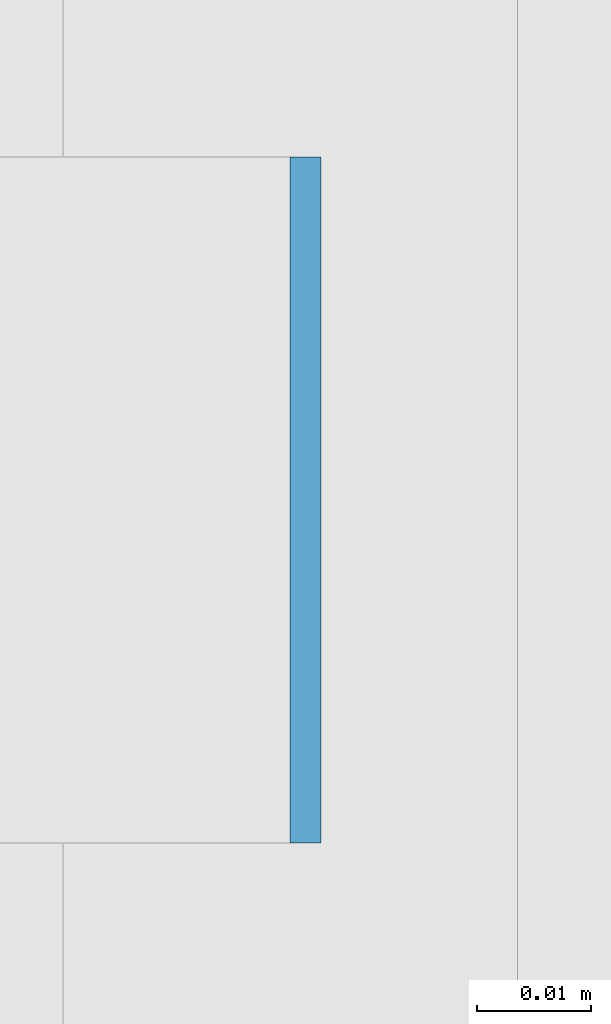
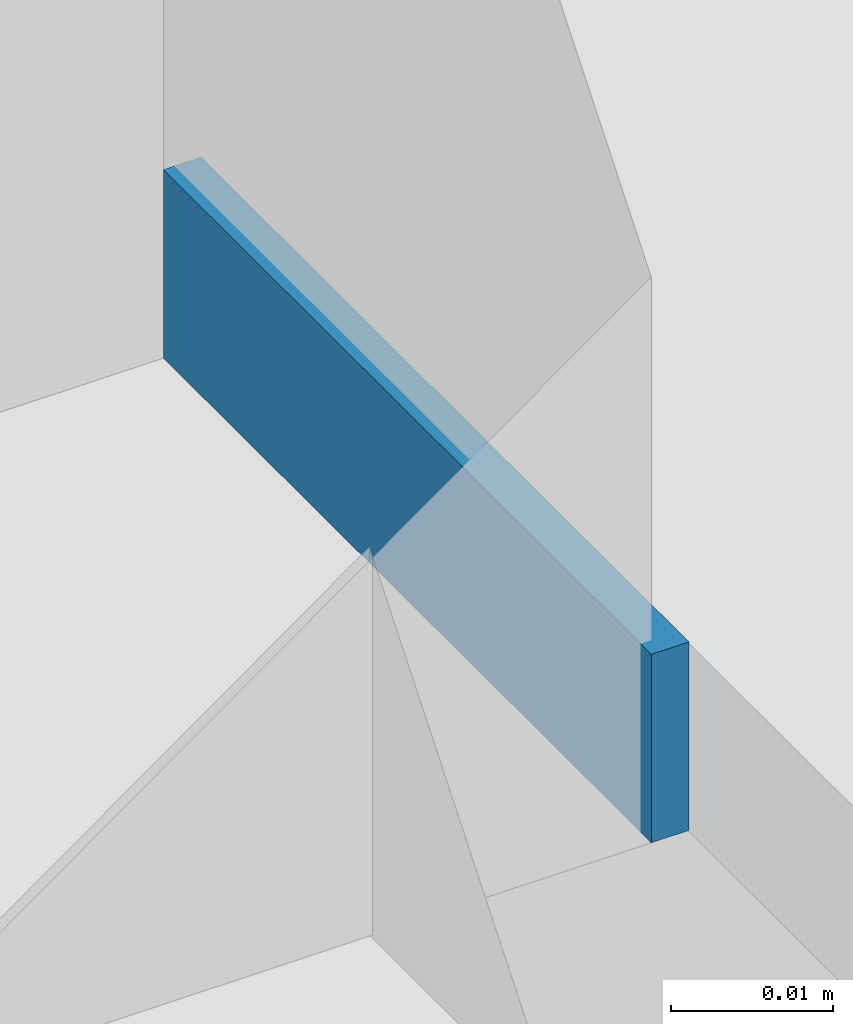
# One storey, part 280 of 646: 1 discrete accessory.
"""IFC4 building model written with IfcOpenShell, lengths in metres."""

from ifc_helpers import new_model, si_unit, direction, frame, origin, origin_2d, place, context, subcontext, project, spatial, rectangle, extrude, material, type_object, element, save


model = new_model("IFC4")

# Units and contexts
model_context = context("Model", 3, precision=1e-05, world=origin(), true_north=direction((0.0, 1.0)))
body_context = subcontext(model_context, "Body", "Model", "MODEL_VIEW")
ifc_project = project(units=[si_unit("LENGTHUNIT", "METRE"), si_unit("AREAUNIT", "SQUARE_METRE"), si_unit("VOLUMEUNIT", "CUBIC_METRE"), si_unit("PLANEANGLEUNIT", "RADIAN"), si_unit("MASSUNIT", "GRAM", prefix="KILO")], contexts=[model_context])

# Site, building, storey
site_placement = place(None, origin())
site = spatial("IfcSite", under=ifc_project, at=site_placement, CompositionType="ELEMENT")
building_placement = place(site_placement, origin())
building = spatial("IfcBuilding", under=site, at=building_placement, Name="Silverbay Arena", CompositionType="ELEMENT")
storey_placement = place(building_placement, frame((0.0, 0.0, 33.5)))
storey = spatial("IfcBuildingStorey", under=building, at=storey_placement, Name="L05", CompositionType="ELEMENT", Elevation=33.5)

# Discrete accessory
ifc_material = material(Name="Steel S355", Category="steel")
discrete_accessory_type = type_object("IfcDiscreteAccessoryType", Name="Steel bracket plate", PredefinedType="BRACKET", material=ifc_material)
discrete_accessory_placement = place(storey_placement, frame((53.871337890625, 51.428466796875, 4.0), z_axis=(0.0, 0.0, 1.0), x_axis=(1.0, 0.0, 0.0)))
element("IfcDiscreteAccessory", 1, at=discrete_accessory_placement, inside=storey, type_object=discrete_accessory_type, Name="Curtain wall packing plate", PredefinedType="BRACKET", context=body_context, shape_type="SweptSolid", body=[
    extrude(rectangle(XDim=0.002685546875, YDim=0.06005859375, at=origin_2d()), origin(), (0.0, 0.0, 1.0), 0.01416015625),
])

save(model, "model.ifc")
